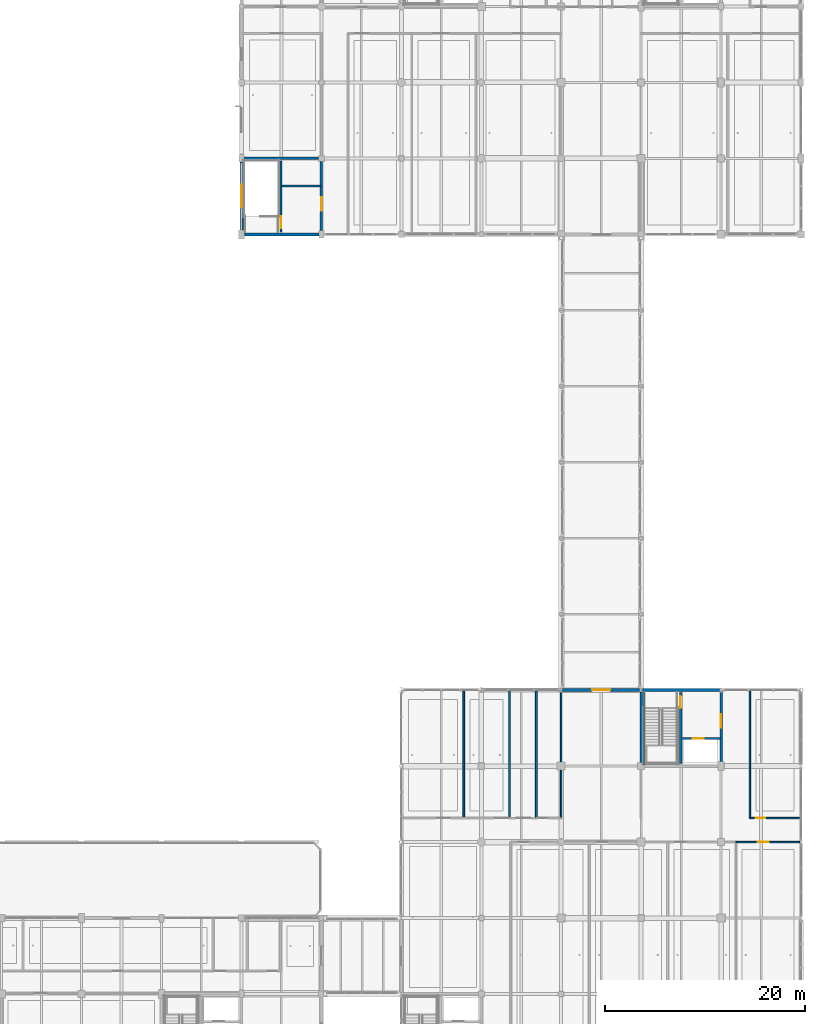
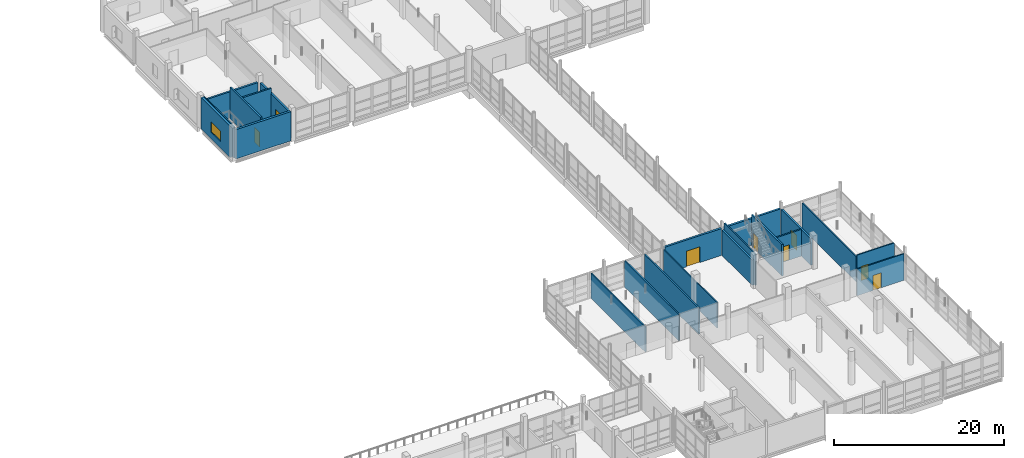
# One storey, part 93 of 147: 21 walls, 8 doors, 1 window, 9 openings.
"""IFC4 building model written with IfcOpenShell, lengths in metres."""

from ifc_helpers import new_model, si_unit, direction, frame, frame_2d, origin, place, context, subcontext, project, spatial, rectangle, extrude, material, layer, layer_set, type_object, element, fill, save


model = new_model("IFC4")

# Units and contexts
model_context = context("Model", 3, precision=1e-05, world=origin(), true_north=direction((0.0, 1.0)))
body_context = subcontext(model_context, "Body", "Model", "MODEL_VIEW")
ifc_project = project(units=[si_unit("LENGTHUNIT", "METRE"), si_unit("AREAUNIT", "SQUARE_METRE"), si_unit("VOLUMEUNIT", "CUBIC_METRE"), si_unit("PLANEANGLEUNIT", "RADIAN"), si_unit("MASSUNIT", "GRAM", prefix="KILO")], contexts=[model_context])

# Site, building, storey
site_placement = place(None, origin())
site = spatial("IfcSite", under=ifc_project, at=site_placement, CompositionType="ELEMENT")
building_placement = place(site_placement, origin())
building = spatial("IfcBuilding", under=site, at=building_placement, Name="Khelvaren Railside Concert Hall", CompositionType="ELEMENT")
storey_placement = place(building_placement, frame((0.0, 0.0, 5.39990234375)))
storey = spatial("IfcBuildingStorey", under=building, at=storey_placement, Name="L01", CompositionType="ELEMENT", Elevation=5.39990234375)

# Walls
ifc_material_1 = material(Name="Concrete C40/50", Category="concrete")
ifc_layer_1 = layer(ifc_material_1, 0.139892578125)
ifc_layer_set_1 = layer_set([ifc_layer_1], Name="Concrete C40/50")
wall_type_1 = type_object("IfcWallType", Name="CW17", PredefinedType="SOLIDWALL", material=ifc_layer_set_1)
for number, where, z_axis, x_axis, name in (
    (1, (168.27490234375, 30.550048828125, 0.0), (0.0, 0.0, 1.0), (0.0, 1.0, 0.0), "Core Shaft Structural Liner Wall ST-04-L01"),
    (2, (128.27490234375, 83.75, 0.0), (0.0, 0.0, 1.0), (0.0, 1.0, 0.0), "Core Shaft Structural Liner Wall ST-12-L01"),
):
    element("IfcWall", number, at=place(storey_placement, frame(where, z_axis=z_axis, x_axis=x_axis)), inside=storey, type_object=wall_type_1, Name=name, PredefinedType="SOLIDWALL", context=body_context, shape_type="SweptSolid", body=[
        extrude(rectangle(XDim=7.300048828125, YDim=0.139892578125, at=frame_2d((3.64990234375, 0.0))), origin(), (0.0, 0.0, 1.0), 4.510009765625),
    ])
ifc_layer_2 = layer(ifc_material_1, 0.25)
ifc_layer_set_2 = layer_set([ifc_layer_2], Name="Concrete C40/50")
wall_type_2 = type_object("IfcWallType", Name="CW82", PredefinedType="SOLIDWALL", material=ifc_layer_set_2)
wall_1_placement = place(storey_placement, frame((168.0, 30.75, 0.0), z_axis=(0.0, 0.0, 1.0), x_axis=(0.0, 1.0, 0.0)))
element("IfcWall", 3, at=wall_1_placement, inside=storey, type_object=wall_type_2, Name="Core Enclosure Wall CWALL-ST-04-L01-W", PredefinedType="SOLIDWALL", context=body_context, shape_type="SweptSolid", body=[
    extrude(rectangle(XDim=7.070068359375, YDim=0.25, at=frame_2d((3.53515625, 0.0))), origin(), (0.0, 0.0, 1.0), 3.635009765625),
])

# Wall, opening, door
wall_2_placement = place(storey_placement, frame((176.0, 30.85009765625, 0.0), z_axis=(0.0, 0.0, 1.0), x_axis=(0.0, 1.0, 0.0)))
wall_2 = element("IfcWall", 4, at=wall_2_placement, inside=storey, type_object=wall_type_2, Name="Core Enclosure Wall CWALL-ST-04-L01-E", PredefinedType="SOLIDWALL", context=body_context, shape_type="SweptSolid", body=[
    extrude(rectangle(XDim=6.954833984375, YDim=0.25, at=frame_2d((3.4775390625, 0.0))), origin(), (0.0, 0.0, 1.0), 3.81005859375),
])
opening_1_placement = place(wall_2_placement, frame((3.39990234375, 0.0, 0.0)))
opening_1 = element("IfcOpeningElement", 5, at=opening_1_placement, cuts=wall_2, Name="Opening FDR34", PredefinedType="OPENING", context=body_context, shape_type="SweptSolid", body=[
    extrude(rectangle(XDim=1.35009765625, YDim=2.199951171875, at=frame_2d((0.675048828125, 1.10009765625))), frame((0.0, 0.135009765625, 0.0), z_axis=(0.0, -1.0, 0.0), x_axis=(1.0, 0.0, 0.0)), (0.0, 0.0, 1.0), 0.27001953125),
])
ifc_material_2 = material(Name="Acoustic fire-rated timber-core steel frame door", Category="steel")
door_type_1 = type_object("IfcDoorType", Name="FDR34", OperationType="NOTDEFINED", PredefinedType="DOOR", material=ifc_material_2)
door_1_placement = place(opening_1_placement, origin())
door_1 = element("IfcDoor", 6, at=door_1_placement, inside=storey, type_object=door_type_1, Name="Interior Door DR-ST-04-L01-LOB", OperationType="SINGLE_SWING_LEFT", OverallHeight=2.199951171875, OverallWidth=1.35009765625, PredefinedType="DOOR", context=body_context, shape_type="SweptSolid", body=[
    extrude(rectangle(XDim=1.35009765625, YDim=2.199951171875, at=frame_2d((0.675048828125, 1.10009765625))), frame((0.0, 0.02490234375, 0.0), z_axis=(0.0, -1.0, 0.0), x_axis=(1.0, 0.0, 0.0)), (0.0, 0.0, 1.0), 0.050048828125),
])
fill(opening_1, door_1)

# Wall
wall_3_placement = place(storey_placement, frame((128.25, 91.199951171875, 0.0), z_axis=(0.0, 0.0, 1.0), x_axis=(1.0, 0.0, 0.0)))
element("IfcWall", 7, at=wall_3_placement, inside=storey, type_object=wall_type_2, Name="Core Enclosure Wall CWALL-ST-12-L01-N", PredefinedType="SOLIDWALL", context=body_context, shape_type="SweptSolid", body=[
    extrude(rectangle(XDim=7.449951171875, YDim=0.25, at=frame_2d((3.72509765625, 0.0))), origin(), (0.0, 0.0, 1.0), 3.760009765625),
])

# Wall, opening, door
wall_4_placement = place(storey_placement, frame((136.0, 83.97509765625, 0.0), z_axis=(0.0, 0.0, 1.0), x_axis=(0.0, 1.0, 0.0)))
wall_4 = element("IfcWall", 8, at=wall_4_placement, inside=storey, type_object=wall_type_2, Name="Core Enclosure Wall CWALL-ST-12-L01-E", PredefinedType="SOLIDWALL", context=body_context, shape_type="SweptSolid", body=[
    extrude(rectangle(XDim=6.9248046875, YDim=0.25, at=frame_2d((3.46240234375, 0.0))), origin(), (0.0, 0.0, 1.0), 3.760009765625),
])
opening_2_placement = place(wall_4_placement, frame((1.97509765625, 0.0, 0.0)))
opening_2 = element("IfcOpeningElement", 9, at=opening_2_placement, cuts=wall_4, Name="Opening FDR34", PredefinedType="OPENING", context=body_context, shape_type="SweptSolid", body=[
    extrude(rectangle(XDim=1.35009765625, YDim=2.199951171875, at=frame_2d((0.675048828125, 1.10009765625))), frame((0.0, 0.135009765625, 0.0), z_axis=(0.0, -1.0, 0.0), x_axis=(1.0, 0.0, 0.0)), (0.0, 0.0, 1.0), 0.27001953125),
])
door_2_placement = place(opening_2_placement, origin())
door_2 = element("IfcDoor", 10, at=door_2_placement, inside=storey, type_object=door_type_1, Name="Interior Door DR-ST-12-L01-LOB", OperationType="SINGLE_SWING_LEFT", OverallHeight=2.199951171875, OverallWidth=1.35009765625, PredefinedType="DOOR", context=body_context, shape_type="SweptSolid", body=[
    extrude(rectangle(XDim=1.35009765625, YDim=2.199951171875, at=frame_2d((0.675048828125, 1.10009765625))), frame((0.0, 0.02490234375, 0.0), z_axis=(0.0, -1.0, 0.0), x_axis=(1.0, 0.0, 0.0)), (0.0, 0.0, 1.0), 0.050048828125),
])
fill(opening_2, door_2)

ifc_layer_3 = layer(ifc_material_1, 0.219970703125)
ifc_layer_set_3 = layer_set([ifc_layer_3], Name="Concrete C40/50")
wall_type_3 = type_object("IfcWallType", Name="CW97", PredefinedType="SOLIDWALL", material=ifc_layer_set_3)
wall_5_placement = place(storey_placement, frame((171.949951171875, 30.64990234375, 0.0), z_axis=(0.0, 0.0, 1.0), x_axis=(0.0, 1.0, 0.0)))
wall_5 = element("IfcWall", 11, at=wall_5_placement, inside=storey, type_object=wall_type_3, Name="Core Enclosure Wall CWALL-ST-04-L01-MID", PredefinedType="SOLIDWALL", context=body_context, shape_type="SweptSolid", body=[
    extrude(rectangle(XDim=7.10009765625, YDim=0.219970703125, at=frame_2d((3.550048828125, 0.0))), origin(), (0.0, 0.0, 1.0), 4.510009765625),
])
opening_3_placement = place(wall_5_placement, frame((5.550048828125, 0.0, 0.0)))
opening_3 = element("IfcOpeningElement", 12, at=opening_3_placement, cuts=wall_5, Name="Opening FDR17", PredefinedType="OPENING", context=body_context, shape_type="SweptSolid", body=[
    extrude(rectangle(XDim=1.199951171875, YDim=2.14990234375, at=frame_2d((0.60009765625, 1.074951171875))), frame((0.0, 0.119873046875, 0.0), z_axis=(0.0, -1.0, 0.0), x_axis=(1.0, 0.0, 0.0)), (0.0, 0.0, 1.0), 0.239990234375),
])
door_type_2 = type_object("IfcDoorType", Name="FDR17", OperationType="NOTDEFINED", PredefinedType="DOOR", material=ifc_material_2)
door_3_placement = place(opening_3_placement, origin())
door_3 = element("IfcDoor", 13, at=door_3_placement, inside=storey, type_object=door_type_2, Name="Interior Door DR-ST-04-L01-ST", OperationType="SINGLE_SWING_RIGHT", OverallHeight=2.14990234375, OverallWidth=1.199951171875, PredefinedType="DOOR", context=body_context, shape_type="SweptSolid", body=[
    extrude(rectangle(XDim=1.199951171875, YDim=2.14990234375, at=frame_2d((0.60009765625, 1.074951171875))), frame((0.0, 0.02490234375, 0.0), z_axis=(0.0, -1.0, 0.0), x_axis=(1.0, 0.0, 0.0)), (0.0, 0.0, 1.0), 0.050048828125),
])
fill(opening_3, door_3)

wall_6_placement = place(storey_placement, frame((172.02001953125, 33.14990234375, 0.0), z_axis=(0.0, 0.0, 1.0), x_axis=(1.0, 0.0, 0.0)))
wall_6 = element("IfcWall", 14, at=wall_6_placement, inside=storey, type_object=wall_type_3, Name="Core Enclosure Wall CWALL-ST-04-L01-SHF", PredefinedType="SOLIDWALL", context=body_context, shape_type="SweptSolid", body=[
    extrude(rectangle(XDim=3.929931640625, YDim=0.219970703125, at=frame_2d((1.96484375, 0.0))), origin(), (0.0, 0.0, 1.0), 3.81005859375),
])
opening_4_placement = place(wall_6_placement, frame((1.14990234375, 0.0, 0.0)))
opening_4 = element("IfcOpeningElement", 15, at=opening_4_placement, cuts=wall_6, Name="Opening LD-PL-03", PredefinedType="OPENING", context=body_context, shape_type="SweptSolid", body=[
    extrude(rectangle(XDim=1.10009765625, YDim=2.199951171875, at=frame_2d((0.550048828125, 1.10009765625))), frame((0.0, 0.119873046875, 0.0), z_axis=(0.0, -1.0, 0.0), x_axis=(1.0, 0.0, 0.0)), (0.0, 0.0, 1.0), 0.239990234375),
])
ifc_material_3 = material(Name="Fire-rated brushed stainless steel landing door", Category="steel")
door_type_3 = type_object("IfcDoorType", Name="LD96", OperationType="DOUBLE_DOOR_SLIDING", PredefinedType="DOOR", material=ifc_material_3)
door_4_placement = place(opening_4_placement, origin())
door_4 = element("IfcDoor", 16, at=door_4_placement, inside=storey, type_object=door_type_3, Name="Lift Landing Door LD-PL-03-L01", OperationType="DOUBLE_DOOR_SLIDING", OverallHeight=2.199951171875, OverallWidth=1.10009765625, PredefinedType="DOOR", context=body_context, shape_type="SweptSolid", body=[
    extrude(rectangle(XDim=1.10009765625, YDim=2.199951171875, at=frame_2d((0.550048828125, 1.10009765625))), frame((0.0, 0.02490234375, 0.0), z_axis=(0.0, -1.0, 0.0), x_axis=(1.0, 0.0, 0.0)), (0.0, 0.0, 1.0), 0.050048828125),
])
fill(opening_4, door_4)

wall_7_placement = place(storey_placement, frame((131.949951171875, 83.85009765625, 0.0), z_axis=(0.0, 0.0, 1.0), x_axis=(0.0, 1.0, 0.0)))
wall_7 = element("IfcWall", 17, at=wall_7_placement, inside=storey, type_object=wall_type_3, Name="Core Enclosure Wall CWALL-ST-12-L01-MID", PredefinedType="SOLIDWALL", context=body_context, shape_type="SweptSolid", body=[
    extrude(rectangle(XDim=7.099853515625, YDim=0.219970703125, at=frame_2d((3.5498046875, 0.0))), origin(), (0.0, 0.0, 1.0), 4.510009765625),
])
opening_5_placement = place(wall_7_placement, frame((0.35009765625, 0.0, 0.0)))
opening_5 = element("IfcOpeningElement", 18, at=opening_5_placement, cuts=wall_7, Name="Opening FDR17", PredefinedType="OPENING", context=body_context, shape_type="SweptSolid", body=[
    extrude(rectangle(XDim=1.199951171875, YDim=2.14990234375, at=frame_2d((0.60009765625, 1.074951171875))), frame((0.0, 0.119873046875, 0.0), z_axis=(0.0, -1.0, 0.0), x_axis=(1.0, 0.0, 0.0)), (0.0, 0.0, 1.0), 0.239990234375),
])
door_5_placement = place(opening_5_placement, origin())
door_5 = element("IfcDoor", 19, at=door_5_placement, inside=storey, type_object=door_type_2, Name="Interior Door DR-ST-12-L01-ST", OperationType="SINGLE_SWING_RIGHT", OverallHeight=2.14990234375, OverallWidth=1.199951171875, PredefinedType="DOOR", context=body_context, shape_type="SweptSolid", body=[
    extrude(rectangle(XDim=1.199951171875, YDim=2.14990234375, at=frame_2d((0.60009765625, 1.074951171875))), frame((0.0, 0.02490234375, 0.0), z_axis=(0.0, -1.0, 0.0), x_axis=(1.0, 0.0, 0.0)), (0.0, 0.0, 1.0), 0.050048828125),
])
fill(opening_5, door_5)

# Wall
wall_8_placement = place(storey_placement, frame((132.02001953125, 88.449951171875, 0.0), z_axis=(0.0, 0.0, 1.0), x_axis=(1.0, 0.0, 0.0)))
element("IfcWall", 20, at=wall_8_placement, inside=storey, type_object=wall_type_3, Name="Core Enclosure Wall CWALL-ST-12-L01-SHF", PredefinedType="SOLIDWALL", context=body_context, shape_type="SweptSolid", body=[
    extrude(rectangle(XDim=3.929931640625, YDim=0.219970703125, at=frame_2d((1.96484375, 0.0))), origin(), (0.0, 0.0, 1.0), 4.510009765625),
])

# Wall, opening, door
ifc_material_4 = material(Name="Board-marked architectural concrete C40/50", Category="concrete")
ifc_layer_4 = layer(ifc_material_4, 0.280029296875)
ifc_layer_set_4 = layer_set([ifc_layer_4], Name="Board-marked architectural concrete C40/50")
wall_type_4 = type_object("IfcWallType", Name="EW17", PredefinedType="SOLIDWALL", material=ifc_layer_set_4)
wall_9_placement = place(storey_placement, frame((160.14990234375, 38.0, 0.0), z_axis=(0.0, 0.0, 1.0), x_axis=(1.0, 0.0, 0.0)))
wall_9 = element("IfcWall", 21, at=wall_9_placement, inside=storey, type_object=wall_type_4, Name="V2 L01 Bridge Portal Wall N", PredefinedType="SOLIDWALL", context=body_context, shape_type="SweptSolid", body=[
    extrude(rectangle(XDim=7.7001953125, YDim=0.280029296875, at=frame_2d((3.85009765625, 0.0))), origin(), (0.0, 0.0, 1.0), 3.85009765625),
])
opening_6_placement = place(wall_9_placement, frame((2.949951171875, 0.0, 0.0)))
opening_6 = element("IfcOpeningElement", 22, at=opening_6_placement, cuts=wall_9, Name="Opening DR64", PredefinedType="OPENING", context=body_context, shape_type="SweptSolid", body=[
    extrude(rectangle(XDim=1.800048828125, YDim=2.25, at=frame_2d((0.89990234375, 1.125))), frame((0.0, 0.14990234375, 0.0), z_axis=(0.0, -1.0, 0.0), x_axis=(1.0, 0.0, 0.0)), (0.0, 0.0, 1.0), 0.300048828125),
])
ifc_material_5 = material(Name="Glazed fire-rated steel frame door", Category="steel")
door_type_4 = type_object("IfcDoorType", Name="DR64", OperationType="DOUBLE_DOOR_SINGLE_SWING", PredefinedType="DOOR", material=ifc_material_5)
door_6_placement = place(opening_6_placement, origin())
door_6 = element("IfcDoor", 23, at=door_6_placement, inside=storey, type_object=door_type_4, Name="V2 L01 Link Bridge Portal Door", OperationType="DOUBLE_DOOR_SINGLE_SWING", OverallHeight=2.25, OverallWidth=1.800048828125, PredefinedType="DOOR", context=body_context, shape_type="SweptSolid", body=[
    extrude(rectangle(XDim=1.800048828125, YDim=2.25, at=frame_2d((0.89990234375, 1.125))), frame((0.0, 0.02490234375, 0.0), z_axis=(0.0, -1.0, 0.0), x_axis=(1.0, 0.0, 0.0)), (0.0, 0.0, 1.0), 0.050048828125),
])
fill(opening_6, door_6)

# Walls
wall_10_placement = place(storey_placement, frame((168.14990234375, 38.0, 0.0), z_axis=(0.0, 0.0, 1.0), x_axis=(1.0, 0.0, 0.0)))
element("IfcWall", 24, at=wall_10_placement, inside=storey, type_object=wall_type_4, Name="V2 L01 Exterior Concrete Wall N-168", PredefinedType="SOLIDWALL", context=body_context, shape_type="SweptSolid", body=[
    extrude(rectangle(XDim=7.7001953125, YDim=0.280029296875, at=frame_2d((3.85009765625, 0.0))), origin(), (0.0, 0.0, 1.0), 3.85009765625),
])
ifc_layer_5 = layer(ifc_material_4, 0.300048828125)
ifc_layer_set_5 = layer_set([ifc_layer_5], Name="Board-marked architectural concrete C40/50")
wall_type_5 = type_object("IfcWallType", Name="EW54", PredefinedType="SOLIDWALL", material=ifc_layer_set_5)
wall_11_placement = place(storey_placement, frame((135.75, 83.60009765625, 0.0), z_axis=(0.0, 0.0, 1.0), x_axis=(-1.0, 0.0, 0.0)))
element("IfcWall", 25, at=wall_11_placement, inside=storey, type_object=wall_type_5, Name="V5 L01 Exterior Concrete Wall S-128", PredefinedType="SOLIDWALL", context=body_context, shape_type="SweptSolid", body=[
    extrude(rectangle(XDim=7.449951171875, YDim=0.300048828125, at=frame_2d((3.72509765625, 0.0))), origin(), (0.0, 0.0, 1.0), 4.2001953125),
])

# Wall, opening, window
wall_12_placement = place(storey_placement, frame((128.0, 84.050048828125, 0.0), z_axis=(0.0, 0.0, 1.0), x_axis=(0.0, 1.0, 0.0)))
wall_12 = element("IfcWall", 26, at=wall_12_placement, inside=storey, type_object=wall_type_5, Name="V5 L01 Exterior Concrete Wall W-84", PredefinedType="SOLIDWALL", context=body_context, shape_type="SweptSolid", body=[
    extrude(rectangle(XDim=6.77490234375, YDim=0.300048828125, at=frame_2d((3.387451171875, 0.0))), origin(), (0.0, 0.0, 1.0), 4.510009765625),
])
opening_7_placement = place(wall_12_placement, frame((2.262451171875, 0.0, 0.949951171875)))
opening_7 = element("IfcOpeningElement", 27, at=opening_7_placement, cuts=wall_12, Name="Opening WN30", PredefinedType="OPENING", context=body_context, shape_type="SweptSolid", body=[
    extrude(rectangle(XDim=2.25, YDim=1.5, at=frame_2d((1.125, 0.75))), frame((0.0, 0.159912109375, 0.0), z_axis=(0.0, -1.0, 0.0), x_axis=(1.0, 0.0, 0.0)), (0.0, 0.0, 1.0), 0.320068359375),
])
ifc_material_6 = material(Name="Triple-glazed acoustic aluminium window", Category="aluminium")
window_type = type_object("IfcWindowType", Name="WN30", PartitioningType="DOUBLE_PANEL_VERTICAL", PredefinedType="WINDOW", material=ifc_material_6)
window_placement = place(opening_7_placement, origin())
window = element("IfcWindow", 28, at=window_placement, inside=storey, type_object=window_type, Name="Acoustic Facade Window EW-V5-L01-W-84", OverallHeight=1.5, OverallWidth=2.25, PartitioningType="DOUBLE_PANEL_VERTICAL", PredefinedType="WINDOW", context=body_context, shape_type="SweptSolid", body=[
    extrude(rectangle(XDim=2.25, YDim=1.5, at=frame_2d((1.125, 0.75))), frame((0.0, 0.030029296875, 0.0), z_axis=(0.0, -1.0, 0.0), x_axis=(1.0, 0.0, 0.0)), (0.0, 0.0, 1.0), 0.06005859375),
])
fill(opening_7, window)

# Wall, opening, door
ifc_material_7 = material(Name="Acoustic double-stud gypsum partition", Category="gypsum")
ifc_layer_6 = layer(ifc_material_7, 0.159912109375)
ifc_layer_set_6 = layer_set([ifc_layer_6], Name="Acoustic double-stud gypsum partition")
wall_type_6 = type_object("IfcWallType", Name="PT19", PredefinedType="PARTITIONING", material=ifc_layer_set_6)
wall_13_placement = place(storey_placement, frame((177.48193359375, 22.800048828125, 0.0), z_axis=(0.0, 0.0, 1.0), x_axis=(1.0, 0.0, 0.0)))
wall_13 = element("IfcWall", 29, at=wall_13_placement, inside=storey, type_object=wall_type_6, Name="Acoustic Partition Wall PW-V2-L01-S-C04", PredefinedType="PARTITIONING", context=body_context, shape_type="SweptSolid", body=[
    extrude(rectangle(XDim=6.3681640625, YDim=0.159912109375, at=frame_2d((3.18408203125, 0.0))), origin(), (0.0, 0.0, 1.0), 3.81005859375),
])
opening_8_placement = place(wall_13_placement, frame((2.191162109375, 0.0, 0.0)))
opening_8 = element("IfcOpeningElement", 30, at=opening_8_placement, cuts=wall_13, Name="Opening IDR45", PredefinedType="OPENING", context=body_context, shape_type="SweptSolid", body=[
    extrude(rectangle(XDim=1.10009765625, YDim=2.14990234375, at=frame_2d((0.550048828125, 1.074951171875))), frame((0.0, 0.08984375, 0.0), z_axis=(0.0, -1.0, 0.0), x_axis=(1.0, 0.0, 0.0)), (0.0, 0.0, 1.0), 0.179931640625),
])
ifc_material_8 = material(Name="Solid oak acoustic studio door", Category="wood")
door_type_5 = type_object("IfcDoorType", Name="IDR45", OperationType="NOTDEFINED", PredefinedType="DOOR", material=ifc_material_8)
door_7_placement = place(opening_8_placement, origin())
door_7 = element("IfcDoor", 31, at=door_7_placement, inside=storey, type_object=door_type_5, Name="Interior Door DR-V2-L01-S-04", OperationType="SINGLE_SWING_RIGHT", OverallHeight=2.14990234375, OverallWidth=1.10009765625, PredefinedType="DOOR", context=body_context, shape_type="SweptSolid", body=[
    extrude(rectangle(XDim=1.10009765625, YDim=2.14990234375, at=frame_2d((0.550048828125, 1.074951171875))), frame((0.0, 0.02490234375, 0.0), z_axis=(0.0, -1.0, 0.0), x_axis=(1.0, 0.0, 0.0)), (0.0, 0.0, 1.0), 0.050048828125),
])
fill(opening_8, door_7)

# Walls
ifc_layer_7 = layer(ifc_material_7, 0.179931640625)
ifc_layer_set_7 = layer_set([ifc_layer_7], Name="Acoustic double-stud gypsum partition")
wall_type_7 = type_object("IfcWallType", Name="PT53", PredefinedType="PARTITIONING", material=ifc_layer_set_7)
wall_14_placement = place(storey_placement, frame((154.825927734375, 25.199951171875, 0.0), z_axis=(0.0, 0.0, 1.0), x_axis=(0.0, 1.0, 0.0)))
element("IfcWall", 32, at=wall_14_placement, inside=storey, type_object=wall_type_7, Name="Acoustic Partition Wall PW-V2-L01-N-D02", PredefinedType="PARTITIONING", context=body_context, shape_type="SweptSolid", body=[
    extrude(rectangle(XDim=12.719970703125, YDim=0.179931640625, at=frame_2d((6.35986328125, 0.0))), origin(), (0.0, 0.0, 1.0), 3.760009765625),
])
ifc_layer_8 = layer(ifc_material_7, 0.14990234375)
ifc_layer_set_8 = layer_set([ifc_layer_8], Name="Acoustic double-stud gypsum partition")
wall_type_8 = type_object("IfcWallType", Name="PT72", PredefinedType="PARTITIONING", material=ifc_layer_set_8)
wall_15_placement = place(storey_placement, frame((160.0, 25.199951171875, 0.0), z_axis=(0.0, 0.0, 1.0), x_axis=(0.0, 1.0, 0.0)))
element("IfcWall", 33, at=wall_15_placement, inside=storey, type_object=wall_type_8, Name="Acoustic Partition Wall PW-V2-L01-N-E0", PredefinedType="PARTITIONING", context=body_context, shape_type="SweptSolid", body=[
    extrude(rectangle(XDim=12.60009765625, YDim=0.14990234375, at=frame_2d((6.300048828125, 0.0))), origin(), (0.0, 0.0, 1.0), 3.635009765625),
])

# Wall, opening, door
wall_16_placement = place(storey_placement, frame((178.8798828125, 25.199951171875, 0.0), z_axis=(0.0, 0.0, 1.0), x_axis=(1.0, 0.0, 0.0)))
wall_16 = element("IfcWall", 34, at=wall_16_placement, inside=storey, type_object=wall_type_8, Name="Acoustic Partition Wall PW-V2-L01-NE-C01", PredefinedType="PARTITIONING", context=body_context, shape_type="SweptSolid", body=[
    extrude(rectangle(XDim=5.0400390625, YDim=0.14990234375, at=frame_2d((2.52001953125, 0.0))), origin(), (0.0, 0.0, 1.0), 3.880126953125),
])
opening_9_placement = place(wall_16_placement, frame((0.580078125, 0.0, 0.0)))
opening_9 = element("IfcOpeningElement", 35, at=opening_9_placement, cuts=wall_16, Name="Opening IDR50", PredefinedType="OPENING", context=body_context, shape_type="SweptSolid", body=[
    extrude(rectangle(XDim=0.9599609375, YDim=2.050048828125, at=frame_2d((0.47998046875, 1.02490234375))), frame((0.0, 0.0849609375, 0.0), z_axis=(0.0, -1.0, 0.0), x_axis=(1.0, 0.0, 0.0)), (0.0, 0.0, 1.0), 0.169921875),
])
door_type_6 = type_object("IfcDoorType", Name="IDR50", OperationType="NOTDEFINED", PredefinedType="DOOR", material=ifc_material_8)
door_8_placement = place(opening_9_placement, origin())
door_8 = element("IfcDoor", 36, at=door_8_placement, inside=storey, type_object=door_type_6, Name="Interior Door DR-V2-L01-NE-01", OperationType="SINGLE_SWING_LEFT", OverallHeight=2.050048828125, OverallWidth=0.9599609375, PredefinedType="DOOR", context=body_context, shape_type="SweptSolid", body=[
    extrude(rectangle(XDim=0.9599609375, YDim=2.050048828125, at=frame_2d((0.47998046875, 1.02490234375))), frame((0.0, 0.02490234375, 0.0), z_axis=(0.0, -1.0, 0.0), x_axis=(1.0, 0.0, 0.0)), (0.0, 0.0, 1.0), 0.050048828125),
])
fill(opening_9, door_8)

# Walls
wall_17_placement = place(storey_placement, frame((178.8798828125, 25.199951171875, 0.0), z_axis=(0.0, 0.0, 1.0), x_axis=(0.0, 1.0, 0.0)))
element("IfcWall", 37, at=wall_17_placement, inside=storey, type_object=wall_type_8, Name="Acoustic Partition Wall PW-V2-L01-NE-W0", PredefinedType="PARTITIONING", context=body_context, shape_type="SweptSolid", body=[
    extrude(rectangle(XDim=12.719970703125, YDim=0.14990234375, at=frame_2d((6.35986328125, 0.0))), origin(), (0.0, 0.0, 1.0), 3.635009765625),
])
ifc_layer_9 = layer(ifc_material_7, 0.199951171875)
ifc_layer_set_9 = layer_set([ifc_layer_9], Name="Acoustic double-stud gypsum partition")
wall_type_9 = type_object("IfcWallType", Name="PT75", PredefinedType="PARTITIONING", material=ifc_layer_set_9)
wall_18_placement = place(storey_placement, frame((157.511962890625, 25.199951171875, 0.0), z_axis=(0.0, 0.0, 1.0), x_axis=(0.0, 1.0, 0.0)))
element("IfcWall", 38, at=wall_18_placement, inside=storey, type_object=wall_type_9, Name="Acoustic Partition Wall PW-V2-L01-N-D03", PredefinedType="PARTITIONING", context=body_context, shape_type="SweptSolid", body=[
    extrude(rectangle(XDim=12.719970703125, YDim=0.199951171875, at=frame_2d((6.35986328125, 0.0))), origin(), (0.0, 0.0, 1.0), 3.760009765625),
])
ifc_layer_10 = layer(ifc_material_7, 0.159912109375)
ifc_layer_set_10 = layer_set([ifc_layer_10], Name="Acoustic double-stud gypsum partition")
wall_type_10 = type_object("IfcWallType", Name="PT97", PredefinedType="PARTITIONING", material=ifc_layer_set_10)
wall_19_placement = place(storey_placement, frame((150.2490234375, 25.199951171875, 0.0), z_axis=(0.0, 0.0, 1.0), x_axis=(0.0, 1.0, 0.0)))
element("IfcWall", 39, at=wall_19_placement, inside=storey, type_object=wall_type_10, Name="Acoustic Partition Wall PW-V2-L01-N-D01", PredefinedType="PARTITIONING", context=body_context, shape_type="SweptSolid", body=[
    extrude(rectangle(XDim=12.719970703125, YDim=0.159912109375, at=frame_2d((6.35986328125, 0.0))), origin(), (0.0, 0.0, 1.0), 3.585205078125),
])

save(model, "model.ifc")
